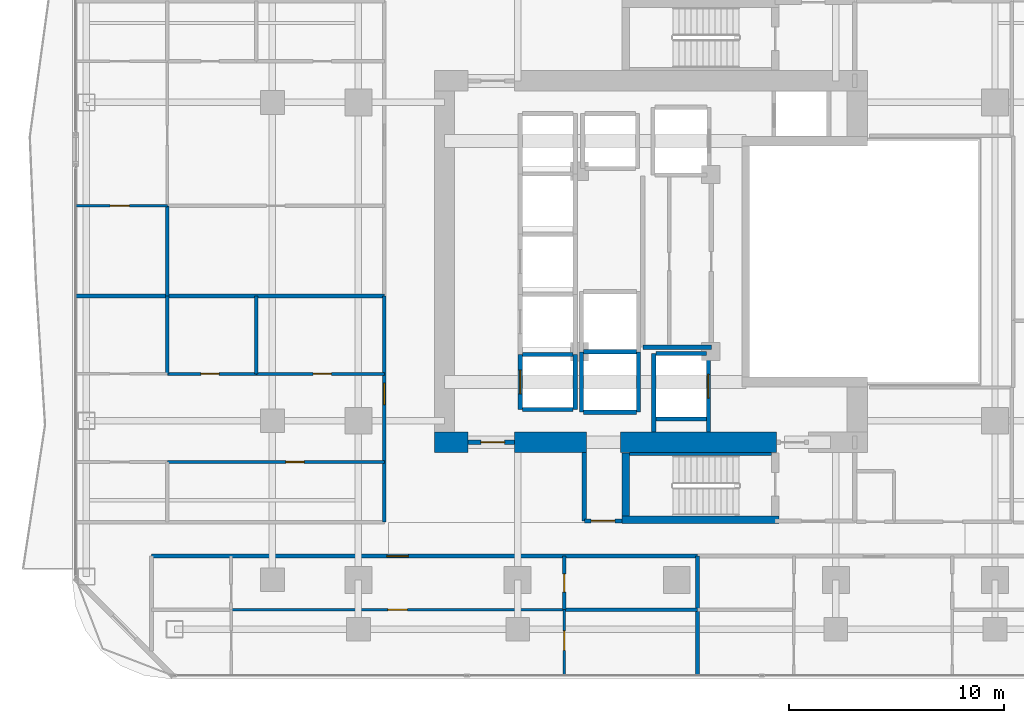
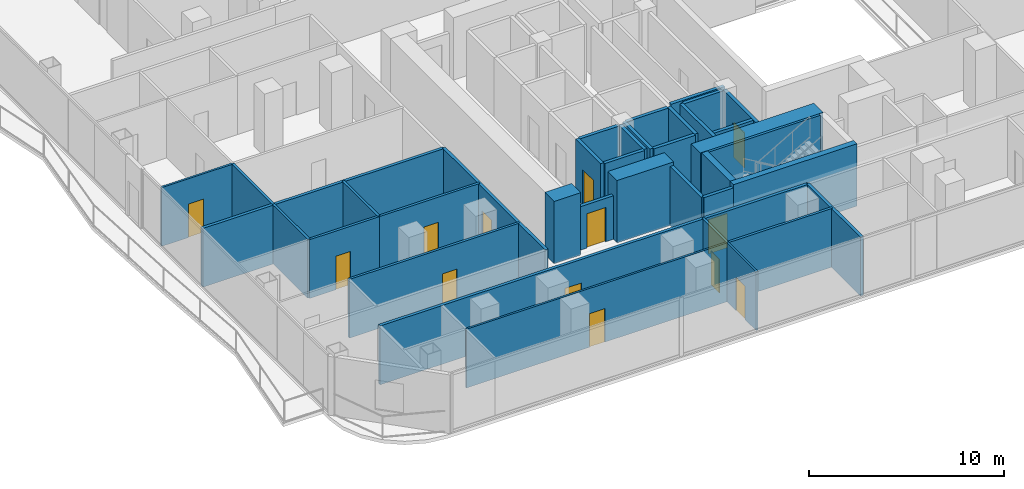
# One storey, part 19 of 27: 37 walls, 13 doors, 13 openings.
"""IFC4 building model written with IfcOpenShell, lengths in metres."""

from ifc_helpers import new_model, si_unit, direction, frame, frame_2d, origin, place, context, subcontext, project, spatial, rectangle, extrude, material, layer, layer_set, type_object, element, fill, save


model = new_model("IFC4")

# Units and contexts
model_context = context("Model", 3, precision=1e-05, world=origin(), true_north=direction((0.0, 1.0)))
body_context = subcontext(model_context, "Body", "Model", "MODEL_VIEW")
ifc_project = project(units=[si_unit("LENGTHUNIT", "METRE"), si_unit("AREAUNIT", "SQUARE_METRE"), si_unit("VOLUMEUNIT", "CUBIC_METRE"), si_unit("PLANEANGLEUNIT", "RADIAN"), si_unit("MASSUNIT", "GRAM", prefix="KILO")], contexts=[model_context])

# Site, building, storey
site_placement = place(None, origin())
site = spatial("IfcSite", under=ifc_project, at=site_placement, CompositionType="ELEMENT")
building_placement = place(site_placement, origin())
building = spatial("IfcBuilding", under=site, at=building_placement, Name="Khorvyn Point Tower", CompositionType="ELEMENT")
storey_placement = place(building_placement, frame((0.0, 0.0, 96.89990234375)))
storey = spatial("IfcBuildingStorey", under=building, at=storey_placement, Name="L24", CompositionType="ELEMENT", Elevation=96.89990234375)

# Wall, opening, door
ifc_material_1 = material(Name="Double acoustic gypsum on twin steel stud", Category="steel")
ifc_layer_1 = layer(ifc_material_1, 0.179931640625)
ifc_layer_set_1 = layer_set([ifc_layer_1], Name="Acoustic Double-Stud Apartment Demising Wall 180")
wall_type_1 = type_object("IfcWallType", Name="Acoustic Double-Stud Apartment Demising Wall 180", PredefinedType="PARTITIONING", material=ifc_layer_set_1)
wall_1_placement = place(storey_placement, frame((-24.419921875, -13.699951171875, 0.0), z_axis=(0.0, 0.0, 1.0), x_axis=(1.0, 0.0, 0.0)))
wall_1 = element("IfcWall", 1, at=wall_1_placement, inside=storey, type_object=wall_type_1, Name="Wall", PredefinedType="PARTITIONING", context=body_context, shape_type="SweptSolid", body=[
    extrude(rectangle(XDim=25.39404296875, YDim=0.179931640625, at=frame_2d((12.697021484375, 0.0))), origin(), (0.0, 0.0, 1.0), 3.68017578125),
])
opening_1_placement = place(wall_1_placement, frame((10.939453125, 0.0, 0.0)))
opening_1 = element("IfcOpeningElement", 2, at=opening_1_placement, cuts=wall_1, Name="Opening ID-AP60", PredefinedType="OPENING", context=body_context, shape_type="SweptSolid", body=[
    extrude(rectangle(XDim=1.0, YDim=2.199951171875, at=frame_2d((0.5, 1.10009765625))), frame((0.0, 0.099853515625, 0.0), z_axis=(0.0, -1.0, 0.0), x_axis=(1.0, 0.0, 0.0)), (0.0, 0.0, 1.0), 0.199951171875),
])
ifc_material_2 = material(Name="Engineered hardwood fire-rated leaf", Category="wood")
door_type_1 = type_object("IfcDoorType", Name="Acoustic Solid-Core Timber Apartment Entrance Door 1000x2200", OperationType="NOTDEFINED", PredefinedType="DOOR", material=ifc_material_2)
door_1_placement = place(opening_1_placement, origin())
door_1 = element("IfcDoor", 3, at=door_1_placement, inside=storey, type_object=door_type_1, Name="Door", OperationType="SINGLE_SWING_LEFT", OverallHeight=2.199951171875, OverallWidth=1.0, PredefinedType="DOOR", context=body_context, shape_type="SweptSolid", body=[
    extrude(rectangle(XDim=1.0, YDim=2.199951171875, at=frame_2d((0.5, 1.10009765625))), frame((0.0, 0.02490234375, 0.0), z_axis=(0.0, -1.0, 0.0), x_axis=(1.0, 0.0, 0.0)), (0.0, 0.0, 1.0), 0.050048828125),
])
fill(opening_1, door_1)

wall_2_placement = place(storey_placement, frame((-13.60009765625, -12.1201171875, 0.0), z_axis=(0.0, 0.0, 1.0), x_axis=(0.0, 1.0, 0.0)))
wall_2 = element("IfcWall", 4, at=wall_2_placement, inside=storey, type_object=wall_type_1, Name="Wall", PredefinedType="PARTITIONING", context=body_context, shape_type="SweptSolid", body=[
    extrude(rectangle(XDim=10.52001953125, YDim=0.179931640625, at=frame_2d((5.260009765625, 0.0))), origin(), (0.0, 0.0, 1.0), 3.68017578125),
])
opening_2_placement = place(wall_2_placement, frame((5.4677734375, 0.0, 0.0)))
opening_2 = element("IfcOpeningElement", 5, at=opening_2_placement, cuts=wall_2, Name="Opening ID-AP60", PredefinedType="OPENING", context=body_context, shape_type="SweptSolid", body=[
    extrude(rectangle(XDim=1.0, YDim=2.199951171875, at=frame_2d((0.5, 1.10009765625))), frame((0.0, 0.099853515625, 0.0), z_axis=(0.0, -1.0, 0.0), x_axis=(1.0, 0.0, 0.0)), (0.0, 0.0, 1.0), 0.199951171875),
])
door_2_placement = place(opening_2_placement, origin())
door_2 = element("IfcDoor", 6, at=door_2_placement, inside=storey, type_object=door_type_1, Name="Door", OperationType="SINGLE_SWING_RIGHT", OverallHeight=2.199951171875, OverallWidth=1.0, PredefinedType="DOOR", context=body_context, shape_type="SweptSolid", body=[
    extrude(rectangle(XDim=1.0, YDim=2.199951171875, at=frame_2d((0.5, 1.10009765625))), frame((0.0, 0.02490234375, 0.0), z_axis=(0.0, -1.0, 0.0), x_axis=(1.0, 0.0, 0.0)), (0.0, 0.0, 1.0), 0.050048828125),
])
fill(opening_2, door_2)

# Walls
wall_3_placement = place(storey_placement, frame((0.97412109375, -19.22998046875, 0.0), z_axis=(0.0, 0.0, 1.0), x_axis=(0.0, 1.0, 0.0)))
element("IfcWall", 7, at=wall_3_placement, inside=storey, type_object=wall_type_1, Name="Wall", PredefinedType="PARTITIONING", context=body_context, shape_type="SweptSolid", body=[
    extrude(rectangle(XDim=5.530029296875, YDim=0.179931640625, at=frame_2d((2.76513671875, 0.0))), origin(), (0.0, 0.0, 1.0), 3.68017578125),
])
wall_4_placement = place(storey_placement, frame((-27.929931640625, -1.60009765625, 0.0), z_axis=(0.0, 0.0, 1.0), x_axis=(1.0, 0.0, 0.0)))
element("IfcWall", 8, at=wall_4_placement, inside=storey, type_object=wall_type_1, Name="Wall", PredefinedType="PARTITIONING", context=body_context, shape_type="SweptSolid", body=[
    extrude(rectangle(XDim=14.329833984375, YDim=0.179931640625, at=frame_2d((7.1650390625, 0.0))), origin(), (0.0, 0.0, 1.0), 3.68017578125),
])

# Wall, opening, door
ifc_material_3 = material(Name="Concrete C40/50", Category="concrete")
ifc_layer_2 = layer(ifc_material_3, 0.199951171875)
ifc_layer_set_2 = layer_set([ifc_layer_2], Name="Concrete C40/50 Fire-Lobby Compartment Wall 200")
wall_type_2 = type_object("IfcWallType", Name="Concrete C40/50 Fire-Lobby Compartment Wall 200", PredefinedType="SOLIDWALL", material=ifc_layer_set_2)
wall_5_placement = place(storey_placement, frame((-9.699951171875, -8.39990234375, 0.0), z_axis=(0.0, 0.0, 1.0), x_axis=(1.0, 0.0, 0.0)))
wall_5 = element("IfcWall", 9, at=wall_5_placement, inside=storey, type_object=wall_type_2, Name="Wall", PredefinedType="SOLIDWALL", context=body_context, shape_type="SweptSolid", body=[
    extrude(rectangle(XDim=2.14990234375, YDim=0.199951171875, at=frame_2d((1.074951171875, 0.0))), origin(), (0.0, 0.0, 1.0), 2.72021484375),
])
opening_3_placement = place(wall_5_placement, frame((0.597900390625, 0.0, 0.0)))
opening_3 = element("IfcOpeningElement", 10, at=opening_3_placement, cuts=wall_5, Name="Opening ID-FL90", PredefinedType="OPENING", context=body_context, shape_type="SweptSolid", body=[
    extrude(rectangle(XDim=1.10009765625, YDim=2.14990234375, at=frame_2d((0.550048828125, 1.074951171875))), frame((0.0, 0.10986328125, 0.0), z_axis=(0.0, -1.0, 0.0), x_axis=(1.0, 0.0, 0.0)), (0.0, 0.0, 1.0), 0.219970703125),
])
ifc_material_4 = material(Name="Galvanised powder-coated steel", Category="steel")
door_type_2 = type_object("IfcDoorType", Name="Fire-Rated Steel Lobby and Stair Door 1100x2150", OperationType="NOTDEFINED", PredefinedType="DOOR", material=ifc_material_4)
door_3_placement = place(opening_3_placement, origin())
door_3 = element("IfcDoor", 11, at=door_3_placement, inside=storey, type_object=door_type_2, Name="Door", OperationType="SINGLE_SWING_LEFT", OverallHeight=2.14990234375, OverallWidth=1.10009765625, PredefinedType="DOOR", context=body_context, shape_type="SweptSolid", body=[
    extrude(rectangle(XDim=1.10009765625, YDim=2.14990234375, at=frame_2d((0.550048828125, 1.074951171875))), frame((0.0, 0.02490234375, 0.0), z_axis=(0.0, -1.0, 0.0), x_axis=(1.0, 0.0, 0.0)), (0.0, 0.0, 1.0), 0.050048828125),
])
fill(opening_3, door_3)

wall_6_placement = place(storey_placement, frame((-4.300048828125, -12.06005859375, 0.0), z_axis=(0.0, 0.0, 1.0), x_axis=(1.0, 0.0, 0.0)))
wall_6 = element("IfcWall", 12, at=wall_6_placement, inside=storey, type_object=wall_type_2, Name="Wall", PredefinedType="SOLIDWALL", context=body_context, shape_type="SweptSolid", body=[
    extrude(rectangle(XDim=1.75, YDim=0.199951171875, at=frame_2d((0.875, 0.0))), origin(), (0.0, 0.0, 1.0), 3.68017578125),
])
opening_4_placement = place(wall_6_placement, frame((0.324951171875, 0.0, 0.0)))
opening_4 = element("IfcOpeningElement", 13, at=opening_4_placement, cuts=wall_6, Name="Opening ID-FL90", PredefinedType="OPENING", context=body_context, shape_type="SweptSolid", body=[
    extrude(rectangle(XDim=1.10009765625, YDim=2.14990234375, at=frame_2d((0.550048828125, 1.074951171875))), frame((0.0, 0.10986328125, 0.0), z_axis=(0.0, -1.0, 0.0), x_axis=(1.0, 0.0, 0.0)), (0.0, 0.0, 1.0), 0.219970703125),
])
door_4_placement = place(opening_4_placement, origin())
door_4 = element("IfcDoor", 14, at=door_4_placement, inside=storey, type_object=door_type_2, Name="Door", OperationType="SINGLE_SWING_LEFT", OverallHeight=2.14990234375, OverallWidth=1.10009765625, PredefinedType="DOOR", context=body_context, shape_type="SweptSolid", body=[
    extrude(rectangle(XDim=1.10009765625, YDim=2.14990234375, at=frame_2d((0.550048828125, 1.074951171875))), frame((0.0, 0.02490234375, 0.0), z_axis=(0.0, -1.0, 0.0), x_axis=(1.0, 0.0, 0.0)), (0.0, 0.0, 1.0), 0.050048828125),
])
fill(opening_4, door_4)

# Walls
wall_7_placement = place(storey_placement, frame((-4.300048828125, -12.06005859375, 0.0), z_axis=(0.0, 0.0, 1.0), x_axis=(0.0, 1.0, 0.0)))
element("IfcWall", 15, at=wall_7_placement, inside=storey, type_object=wall_type_2, Name="Wall", PredefinedType="SOLIDWALL", context=body_context, shape_type="SweptSolid", body=[
    extrude(rectangle(XDim=3.18505859375, YDim=0.199951171875, at=frame_2d((1.592529296875, 0.0))), origin(), (0.0, 0.0, 1.0), 3.68017578125),
])
wall_8_placement = place(storey_placement, frame((-1.580078125, -3.97998046875, 0.0), z_axis=(0.0, 0.0, 1.0), x_axis=(1.0, 0.0, 0.0)))
element("IfcWall", 16, at=wall_8_placement, inside=storey, type_object=wall_type_2, Name="Wall", PredefinedType="SOLIDWALL", context=body_context, shape_type="SweptSolid", body=[
    extrude(rectangle(XDim=3.190185546875, YDim=0.199951171875, at=frame_2d((1.59521484375, 0.0))), origin(), (0.0, 0.0, 1.0), 3.68017578125),
])
ifc_layer_3 = layer(ifc_material_3, 0.25)
ifc_layer_set_3 = layer_set([ifc_layer_3], Name="Concrete C40/50 Stair Inner Cheek Structural Wall 250")
wall_type_3 = type_object("IfcWallType", Name="Concrete C40/50 Stair Inner Cheek Structural Wall 250", PredefinedType="SHEAR", material=ifc_layer_set_3)
wall_9_placement = place(storey_placement, frame((-2.199951171875, -8.949951171875, 0.0), z_axis=(0.0, 0.0, 1.0), x_axis=(1.0, 0.0, 0.0)))
element("IfcWall", 17, at=wall_9_placement, inside=storey, type_object=wall_type_3, Name="Wall", PredefinedType="SHEAR", context=body_context, shape_type="SweptSolid", body=[
    extrude(rectangle(XDim=6.599853515625, YDim=0.14990234375, at=frame_2d((3.2998046875, 0.0))), origin(), (0.0, 0.0, 1.0), 3.900146484375),
])
ifc_layer_4 = layer(ifc_material_3, 0.35009765625)
ifc_layer_set_4 = layer_set([ifc_layer_4], Name="Concrete C40/50 Stair Shaft Structural Wall 350")
wall_type_4 = type_object("IfcWallType", Name="Concrete C40/50 Stair Shaft Structural Wall 350", PredefinedType="SHEAR", material=ifc_layer_set_4)
wall_10_placement = place(storey_placement, frame((-2.554931640625, -12.0, 0.0), z_axis=(0.0, 0.0, 1.0), x_axis=(1.0, 0.0, 0.0)))
element("IfcWall", 18, at=wall_10_placement, inside=storey, type_object=wall_type_4, Name="L24 ST-01 South Shaft Wall", PredefinedType="SHEAR", context=body_context, shape_type="SweptSolid", body=[
    extrude(rectangle(XDim=7.309814453125, YDim=0.35009765625, at=frame_2d((3.65478515625, 0.0))), origin(), (0.0, 0.0, 1.0), 3.900146484375),
])
wall_11_placement = place(storey_placement, frame((-2.3798828125, -11.824951171875, 0.0), z_axis=(0.0, 0.0, 1.0), x_axis=(0.0, 1.0, 0.0)))
element("IfcWall", 19, at=wall_11_placement, inside=storey, type_object=wall_type_4, Name="L24 ST-01 West Shaft Wall", PredefinedType="SHEAR", context=body_context, shape_type="SweptSolid", body=[
    extrude(rectangle(XDim=2.925048828125, YDim=0.35009765625, at=frame_2d((1.46240234375, 0.0))), origin(), (0.0, 0.0, 1.0), 3.900146484375),
])

# Wall, opening, door
ifc_layer_5 = layer(ifc_material_3, 0.199951171875)
ifc_layer_set_5 = layer_set([ifc_layer_5], Name="Concrete C40/50 Structural Hoistway and Stair Shaft Wall 200")
wall_type_5 = type_object("IfcWallType", Name="Concrete C40/50 Structural Hoistway and Stair Shaft Wall 200", PredefinedType="SHEAR", material=ifc_layer_set_5)
wall_12_placement = place(storey_placement, frame((-7.27490234375, -6.875, 0.0), z_axis=(0.0, 0.0, 1.0), x_axis=(0.0, 1.0, 0.0)))
wall_12 = element("IfcWall", 20, at=wall_12_placement, inside=storey, type_object=wall_type_5, Name="Wall", PredefinedType="SHEAR", context=body_context, shape_type="SweptSolid", body=[
    extrude(rectangle(XDim=2.550048828125, YDim=0.199951171875, at=frame_2d((1.27490234375, 0.0))), origin(), (0.0, 0.0, 1.0), 3.68017578125),
])
opening_5_placement = place(wall_12_placement, frame((0.72509765625, 0.0, 0.0)))
opening_5 = element("IfcOpeningElement", 21, at=opening_5_placement, cuts=wall_12, Name="Opening LD-1122", PredefinedType="OPENING", context=body_context, shape_type="SweptSolid", body=[
    extrude(rectangle(XDim=1.10009765625, YDim=2.199951171875, at=frame_2d((0.550048828125, 1.10009765625))), frame((0.0, 0.10986328125, 0.0), z_axis=(0.0, -1.0, 0.0), x_axis=(1.0, 0.0, 0.0)), (0.0, 0.0, 1.0), 0.219970703125),
])
ifc_material_5 = material(Name="Stainless steel 1.4301", Category="steel")
door_type_3 = type_object("IfcDoorType", Name="Stainless Steel Automatic Sliding Lift Landing Door 1100x2200", OperationType="SLIDING_TO_LEFT", PredefinedType="DOOR", material=ifc_material_5)
door_5_placement = place(opening_5_placement, origin())
door_5 = element("IfcDoor", 22, at=door_5_placement, inside=storey, type_object=door_type_3, Name="L24 RL-01 Sliding Lift Landing Door", OperationType="SLIDING_TO_LEFT", OverallHeight=2.199951171875, OverallWidth=1.10009765625, PredefinedType="DOOR", context=body_context, shape_type="SweptSolid", body=[
    extrude(rectangle(XDim=1.10009765625, YDim=2.199951171875, at=frame_2d((0.550048828125, 1.10009765625))), frame((0.0, 0.02490234375, 0.0), z_axis=(0.0, -1.0, 0.0), x_axis=(1.0, 0.0, 0.0)), (0.0, 0.0, 1.0), 0.050048828125),
])
fill(opening_5, door_5)

# Walls
wall_13_placement = place(storey_placement, frame((-4.72509765625, -6.875, 0.0), z_axis=(0.0, 0.0, 1.0), x_axis=(0.0, 1.0, 0.0)))
element("IfcWall", 23, at=wall_13_placement, inside=storey, type_object=wall_type_5, Name="Wall", PredefinedType="SHEAR", context=body_context, shape_type="SweptSolid", body=[
    extrude(rectangle(XDim=2.550048828125, YDim=0.199951171875, at=frame_2d((1.27490234375, 0.0))), origin(), (0.0, 0.0, 1.0), 3.68017578125),
])
for number, where, z_axis, x_axis, name in (
    (24, (-7.175048828125, -6.875, 0.0), (0.0, 0.0, 1.0), (1.0, 0.0, 0.0), "Wall"),
    (25, (-7.175048828125, -4.324951171875, 0.0), (0.0, 0.0, 1.0), (1.0, 0.0, 0.0), "Wall"),
):
    element("IfcWall", number, at=place(storey_placement, frame(where, z_axis=z_axis, x_axis=x_axis)), inside=storey, type_object=wall_type_5, Name=name, PredefinedType="SHEAR", context=body_context, shape_type="SweptSolid", body=[
        extrude(rectangle(XDim=2.35009765625, YDim=0.199951171875, at=frame_2d((1.175048828125, 0.0))), origin(), (0.0, 0.0, 1.0), 3.68017578125),
    ])
for number, where, z_axis, x_axis, name in (
    (26, (-4.425048828125, -7.0, 0.0), (0.0, 0.0, 1.0), (0.0, 1.0, 0.0), "Wall"),
    (27, (-1.77490234375, -7.0, 0.0), (0.0, 0.0, 1.0), (0.0, 1.0, 0.0), "Wall"),
):
    element("IfcWall", number, at=place(storey_placement, frame(where, z_axis=z_axis, x_axis=x_axis)), inside=storey, type_object=wall_type_5, Name=name, PredefinedType="SHEAR", context=body_context, shape_type="SweptSolid", body=[
        extrude(rectangle(XDim=2.800048828125, YDim=0.199951171875, at=frame_2d((1.39990234375, 0.0))), origin(), (0.0, 0.0, 1.0), 3.68017578125),
    ])
for number, where, z_axis, x_axis, name in (
    (28, (-4.324951171875, -7.0, 0.0), (0.0, 0.0, 1.0), (1.0, 0.0, 0.0), "Wall"),
    (29, (-4.324951171875, -4.199951171875, 0.0), (0.0, 0.0, 1.0), (1.0, 0.0, 0.0), "Wall"),
):
    element("IfcWall", number, at=place(storey_placement, frame(where, z_axis=z_axis, x_axis=x_axis)), inside=storey, type_object=wall_type_5, Name=name, PredefinedType="SHEAR", context=body_context, shape_type="SweptSolid", body=[
        extrude(rectangle(XDim=2.449951171875, YDim=0.199951171875, at=frame_2d((1.22509765625, 0.0))), origin(), (0.0, 0.0, 1.0), 3.68017578125),
    ])
wall_14_placement = place(storey_placement, frame((-1.074951171875, -7.925048828125, 0.0), z_axis=(0.0, 0.0, 1.0), x_axis=(0.0, 1.0, 0.0)))
element("IfcWall", 30, at=wall_14_placement, inside=storey, type_object=wall_type_5, Name="Wall", PredefinedType="SHEAR", context=body_context, shape_type="SweptSolid", body=[
    extrude(rectangle(XDim=3.650146484375, YDim=0.199951171875, at=frame_2d((1.8251953125, 0.0))), origin(), (0.0, 0.0, 1.0), 3.68017578125),
])

# Wall, opening, door
wall_15_placement = place(storey_placement, frame((1.47509765625, -7.925048828125, 0.0), z_axis=(0.0, 0.0, 1.0), x_axis=(0.0, 1.0, 0.0)))
wall_15 = element("IfcWall", 31, at=wall_15_placement, inside=storey, type_object=wall_type_5, Name="Wall", PredefinedType="SHEAR", context=body_context, shape_type="SweptSolid", body=[
    extrude(rectangle(XDim=3.650146484375, YDim=0.199951171875, at=frame_2d((1.8251953125, 0.0))), origin(), (0.0, 0.0, 1.0), 3.68017578125),
])
opening_6_placement = place(wall_15_placement, frame((1.574951171875, 0.0, 0.0)))
opening_6 = element("IfcOpeningElement", 32, at=opening_6_placement, cuts=wall_15, Name="Opening LD-1122", PredefinedType="OPENING", context=body_context, shape_type="SweptSolid", body=[
    extrude(rectangle(XDim=1.10009765625, YDim=2.199951171875, at=frame_2d((0.550048828125, 1.10009765625))), frame((0.0, 0.10986328125, 0.0), z_axis=(0.0, -1.0, 0.0), x_axis=(1.0, 0.0, 0.0)), (0.0, 0.0, 1.0), 0.219970703125),
])
door_6_placement = place(opening_6_placement, origin())
door_6 = element("IfcDoor", 33, at=door_6_placement, inside=storey, type_object=door_type_3, Name="L24 FF-01 Sliding Lift Landing Door", OperationType="SLIDING_TO_LEFT", OverallHeight=2.199951171875, OverallWidth=1.10009765625, PredefinedType="DOOR", context=body_context, shape_type="SweptSolid", body=[
    extrude(rectangle(XDim=1.10009765625, YDim=2.199951171875, at=frame_2d((0.550048828125, 1.10009765625))), frame((0.0, 0.02490234375, 0.0), z_axis=(0.0, -1.0, 0.0), x_axis=(1.0, 0.0, 0.0)), (0.0, 0.0, 1.0), 0.050048828125),
])
fill(opening_6, door_6)

# Walls
for number, where, z_axis, x_axis, name in (
    (34, (-0.97509765625, -7.324951171875, 0.0), (0.0, 0.0, 1.0), (1.0, 0.0, 0.0), "Wall"),
    (35, (-0.97509765625, -4.27490234375, 0.0), (0.0, 0.0, 1.0), (1.0, 0.0, 0.0), "Wall"),
):
    element("IfcWall", number, at=place(storey_placement, frame(where, z_axis=z_axis, x_axis=x_axis)), inside=storey, type_object=wall_type_5, Name=name, PredefinedType="SHEAR", context=body_context, shape_type="SweptSolid", body=[
        extrude(rectangle(XDim=2.35009765625, YDim=0.199951171875, at=frame_2d((1.175048828125, 0.0))), origin(), (0.0, 0.0, 1.0), 3.68017578125),
    ])
ifc_material_6 = material(Name="Concrete C50/60", Category="concrete")
ifc_layer_6 = layer(ifc_material_6, 0.949951171875)
ifc_layer_set_6 = layer_set([ifc_layer_6], Name="Concrete C50/60 Core Shear Wall 950")
wall_type_6 = type_object("IfcWallType", Name="Concrete C50/60 Core Shear Wall 950", PredefinedType="SHEAR", material=ifc_layer_set_6)
wall_16_placement = place(storey_placement, frame((-11.27490234375, -8.39990234375, 0.0), z_axis=(0.0, 0.0, 1.0), x_axis=(1.0, 0.0, 0.0)))
element("IfcWall", 36, at=wall_16_placement, inside=storey, type_object=wall_type_6, Name="Wall", PredefinedType="SHEAR", context=body_context, shape_type="SweptSolid", body=[
    extrude(rectangle(XDim=1.574951171875, YDim=0.949951171875, at=frame_2d((0.78759765625, 0.0))), origin(), (0.0, 0.0, 1.0), 3.900146484375),
])
wall_17_placement = place(storey_placement, frame((-7.550048828125, -8.39990234375, 0.0), z_axis=(0.0, 0.0, 1.0), x_axis=(1.0, 0.0, 0.0)))
element("IfcWall", 37, at=wall_17_placement, inside=storey, type_object=wall_type_6, Name="Wall", PredefinedType="SHEAR", context=body_context, shape_type="SweptSolid", body=[
    extrude(rectangle(XDim=3.35009765625, YDim=0.949951171875, at=frame_2d((1.675048828125, 0.0))), origin(), (0.0, 0.0, 1.0), 3.900146484375),
])
wall_18_placement = place(storey_placement, frame((-2.6201171875, -8.39990234375, 0.0), z_axis=(0.0, 0.0, 1.0), x_axis=(1.0, 0.0, 0.0)))
element("IfcWall", 38, at=wall_18_placement, inside=storey, type_object=wall_type_6, Name="Wall", PredefinedType="SHEAR", context=body_context, shape_type="SweptSolid", body=[
    extrude(rectangle(XDim=7.27001953125, YDim=0.949951171875, at=frame_2d((3.635009765625, 0.0))), origin(), (0.0, 0.0, 1.0), 3.900146484375),
])

# Wall, opening, door
ifc_material_7 = material(Name="Gypsum plasterboard on steel stud", Category="steel")
ifc_layer_7 = layer(ifc_material_7, 0.1201171875)
ifc_layer_set_7 = layer_set([ifc_layer_7], Name="Gypsum Acoustic Stud Room Partition Wall 120")
wall_type_7 = type_object("IfcWallType", Name="Gypsum Acoustic Stud Room Partition Wall 120", PredefinedType="PARTITIONING", material=ifc_layer_set_7)
wall_19_placement = place(storey_placement, frame((-20.72509765625, -16.18994140625, 0.0), z_axis=(0.0, 0.0, 1.0), x_axis=(1.0, 0.0, 0.0)))
wall_19 = element("IfcWall", 39, at=wall_19_placement, inside=storey, type_object=wall_type_7, Name="Wall", PredefinedType="PARTITIONING", context=body_context, shape_type="SweptSolid", body=[
    extrude(rectangle(XDim=15.4931640625, YDim=0.1201171875, at=frame_2d((7.74658203125, 0.0))), origin(), (0.0, 0.0, 1.0), 3.68017578125),
])
opening_7_placement = place(wall_19_placement, frame((7.29638671875, 0.0, 0.0)))
opening_7 = element("IfcOpeningElement", 40, at=opening_7_placement, cuts=wall_19, Name="Opening ID-RM90", PredefinedType="OPENING", context=body_context, shape_type="SweptSolid", body=[
    extrude(rectangle(XDim=0.89990234375, YDim=2.10009765625, at=frame_2d((0.449951171875, 1.050048828125))), frame((0.0, 0.070068359375, 0.0), z_axis=(0.0, -1.0, 0.0), x_axis=(1.0, 0.0, 0.0)), (0.0, 0.0, 1.0), 0.14013671875),
])
ifc_material_8 = material(Name="Engineered oak veneer timber", Category="wood")
door_type_4 = type_object("IfcDoorType", Name="Flush Engineered Timber Room Door 900x2100", OperationType="NOTDEFINED", PredefinedType="DOOR", material=ifc_material_8)
door_7_placement = place(opening_7_placement, origin())
door_7 = element("IfcDoor", 41, at=door_7_placement, inside=storey, type_object=door_type_4, Name="Door", OperationType="SINGLE_SWING_RIGHT", OverallHeight=2.10009765625, OverallWidth=0.89990234375, PredefinedType="DOOR", context=body_context, shape_type="SweptSolid", body=[
    extrude(rectangle(XDim=0.89990234375, YDim=2.10009765625, at=frame_2d((0.449951171875, 1.050048828125))), frame((0.0, 0.02490234375, 0.0), z_axis=(0.0, -1.0, 0.0), x_axis=(1.0, 0.0, 0.0)), (0.0, 0.0, 1.0), 0.050048828125),
])
fill(opening_7, door_7)

wall_20_placement = place(storey_placement, frame((-5.23193359375, -19.22998046875, 0.0), z_axis=(0.0, 0.0, 1.0), x_axis=(0.0, 1.0, 0.0)))
wall_20 = element("IfcWall", 42, at=wall_20_placement, inside=storey, type_object=wall_type_7, Name="Wall", PredefinedType="PARTITIONING", context=body_context, shape_type="SweptSolid", body=[
    extrude(rectangle(XDim=3.0400390625, YDim=0.1201171875, at=frame_2d((1.52001953125, 0.0))), origin(), (0.0, 0.0, 1.0), 3.68017578125),
])
opening_8_placement = place(wall_20_placement, frame((1.152587890625, 0.0, 0.0)))
opening_8 = element("IfcOpeningElement", 43, at=opening_8_placement, cuts=wall_20, Name="Opening ID-RM90", PredefinedType="OPENING", context=body_context, shape_type="SweptSolid", body=[
    extrude(rectangle(XDim=0.89990234375, YDim=2.10009765625, at=frame_2d((0.449951171875, 1.050048828125))), frame((0.0, 0.070068359375, 0.0), z_axis=(0.0, -1.0, 0.0), x_axis=(1.0, 0.0, 0.0)), (0.0, 0.0, 1.0), 0.14013671875),
])
door_8_placement = place(opening_8_placement, origin())
door_8 = element("IfcDoor", 44, at=door_8_placement, inside=storey, type_object=door_type_4, Name="Door", OperationType="SINGLE_SWING_RIGHT", OverallHeight=2.10009765625, OverallWidth=0.89990234375, PredefinedType="DOOR", context=body_context, shape_type="SweptSolid", body=[
    extrude(rectangle(XDim=0.89990234375, YDim=2.10009765625, at=frame_2d((0.449951171875, 1.050048828125))), frame((0.0, 0.02490234375, 0.0), z_axis=(0.0, -1.0, 0.0), x_axis=(1.0, 0.0, 0.0)), (0.0, 0.0, 1.0), 0.050048828125),
])
fill(opening_8, door_8)

wall_21_placement = place(storey_placement, frame((-27.929931640625, 2.591064453125, 0.0), z_axis=(0.0, 0.0, 1.0), x_axis=(1.0, 0.0, 0.0)))
wall_21 = element("IfcWall", 45, at=wall_21_placement, inside=storey, type_object=wall_type_7, Name="Wall", PredefinedType="PARTITIONING", context=body_context, shape_type="SweptSolid", body=[
    extrude(rectangle(XDim=4.239990234375, YDim=0.1201171875, at=frame_2d((2.1201171875, 0.0))), origin(), (0.0, 0.0, 1.0), 3.68017578125),
])
opening_9_placement = place(wall_21_placement, frame((1.581298828125, 0.0, 0.0)))
opening_9 = element("IfcOpeningElement", 46, at=opening_9_placement, cuts=wall_21, Name="Opening ID-RM90", PredefinedType="OPENING", context=body_context, shape_type="SweptSolid", body=[
    extrude(rectangle(XDim=0.89990234375, YDim=2.10009765625, at=frame_2d((0.449951171875, 1.050048828125))), frame((0.0, 0.070068359375, 0.0), z_axis=(0.0, -1.0, 0.0), x_axis=(1.0, 0.0, 0.0)), (0.0, 0.0, 1.0), 0.14013671875),
])
door_9_placement = place(opening_9_placement, origin())
door_9 = element("IfcDoor", 47, at=door_9_placement, inside=storey, type_object=door_type_4, Name="Door", OperationType="SINGLE_SWING_LEFT", OverallHeight=2.10009765625, OverallWidth=0.89990234375, PredefinedType="DOOR", context=body_context, shape_type="SweptSolid", body=[
    extrude(rectangle(XDim=0.89990234375, YDim=2.10009765625, at=frame_2d((0.449951171875, 1.050048828125))), frame((0.0, 0.02490234375, 0.0), z_axis=(0.0, -1.0, 0.0), x_axis=(1.0, 0.0, 0.0)), (0.0, 0.0, 1.0), 0.050048828125),
])
fill(opening_9, door_9)

ifc_material_9 = material(Name="Moisture-resistant gypsum and cement board", Category="gypsum")
ifc_layer_8 = layer(ifc_material_9, 0.14990234375)
ifc_layer_set_8 = layer_set([ifc_layer_8], Name="Moisture-Resistant Wet-Room Partition Wall 150")
wall_type_8 = type_object("IfcWallType", Name="Moisture-Resistant Wet-Room Partition Wall 150", PredefinedType="PARTITIONING", material=ifc_layer_set_8)
wall_22_placement = place(storey_placement, frame((-5.23193359375, -16.18994140625, 0.0), z_axis=(0.0, 0.0, 1.0), x_axis=(0.0, 1.0, 0.0)))
wall_22 = element("IfcWall", 48, at=wall_22_placement, inside=storey, type_object=wall_type_8, Name="Wall", PredefinedType="PARTITIONING", context=body_context, shape_type="SweptSolid", body=[
    extrude(rectangle(XDim=2.489990234375, YDim=0.14990234375, at=frame_2d((1.2451171875, 0.0))), origin(), (0.0, 0.0, 1.0), 3.68017578125),
])
opening_10_placement = place(wall_22_placement, frame((0.820068359375, 0.0, 0.0)))
opening_10 = element("IfcOpeningElement", 49, at=opening_10_placement, cuts=wall_22, Name="Opening ID-WC85", PredefinedType="OPENING", context=body_context, shape_type="SweptSolid", body=[
    extrude(rectangle(XDim=0.85009765625, YDim=2.10009765625, at=frame_2d((0.425048828125, 1.050048828125))), frame((0.0, 0.0849609375, 0.0), z_axis=(0.0, -1.0, 0.0), x_axis=(1.0, 0.0, 0.0)), (0.0, 0.0, 1.0), 0.169921875),
])
ifc_material_10 = material(Name="High-pressure laminate on moisture-resistant core", Category="wood")
door_type_5 = type_object("IfcDoorType", Name="Moisture-Resistant Accessible Washroom Door 850x2100", OperationType="NOTDEFINED", PredefinedType="DOOR", material=ifc_material_10)
door_10_placement = place(opening_10_placement, origin())
door_10 = element("IfcDoor", 50, at=door_10_placement, inside=storey, type_object=door_type_5, Name="Door", OperationType="SINGLE_SWING_LEFT", OverallHeight=2.10009765625, OverallWidth=0.85009765625, PredefinedType="DOOR", context=body_context, shape_type="SweptSolid", body=[
    extrude(rectangle(XDim=0.85009765625, YDim=2.10009765625, at=frame_2d((0.425048828125, 1.050048828125))), frame((0.0, 0.02490234375, 0.0), z_axis=(0.0, -1.0, 0.0), x_axis=(1.0, 0.0, 0.0)), (0.0, 0.0, 1.0), 0.050048828125),
])
fill(opening_10, door_10)

wall_23_placement = place(storey_placement, frame((-23.68994140625, -5.22412109375, 0.0), z_axis=(0.0, 0.0, 1.0), x_axis=(1.0, 0.0, 0.0)))
wall_23 = element("IfcWall", 51, at=wall_23_placement, inside=storey, type_object=wall_type_8, Name="Wall", PredefinedType="PARTITIONING", context=body_context, shape_type="SweptSolid", body=[
    extrude(rectangle(XDim=4.136962890625, YDim=0.14990234375, at=frame_2d((2.068359375, 0.0))), origin(), (0.0, 0.0, 1.0), 3.68017578125),
])
opening_11_placement = place(wall_23_placement, frame((1.55615234375, 0.0, 0.0)))
opening_11 = element("IfcOpeningElement", 52, at=opening_11_placement, cuts=wall_23, Name="Opening ID-WC85", PredefinedType="OPENING", context=body_context, shape_type="SweptSolid", body=[
    extrude(rectangle(XDim=0.85009765625, YDim=2.10009765625, at=frame_2d((0.425048828125, 1.050048828125))), frame((0.0, 0.0849609375, 0.0), z_axis=(0.0, -1.0, 0.0), x_axis=(1.0, 0.0, 0.0)), (0.0, 0.0, 1.0), 0.169921875),
])
door_11_placement = place(opening_11_placement, origin())
door_11 = element("IfcDoor", 53, at=door_11_placement, inside=storey, type_object=door_type_5, Name="Door", OperationType="SINGLE_SWING_LEFT", OverallHeight=2.10009765625, OverallWidth=0.85009765625, PredefinedType="DOOR", context=body_context, shape_type="SweptSolid", body=[
    extrude(rectangle(XDim=0.85009765625, YDim=2.10009765625, at=frame_2d((0.425048828125, 1.050048828125))), frame((0.0, 0.02490234375, 0.0), z_axis=(0.0, -1.0, 0.0), x_axis=(1.0, 0.0, 0.0)), (0.0, 0.0, 1.0), 0.050048828125),
])
fill(opening_11, door_11)

wall_24_placement = place(storey_placement, frame((-19.552978515625, -5.22412109375, 0.0), z_axis=(0.0, 0.0, 1.0), x_axis=(1.0, 0.0, 0.0)))
wall_24 = element("IfcWall", 54, at=wall_24_placement, inside=storey, type_object=wall_type_8, Name="Wall", PredefinedType="PARTITIONING", context=body_context, shape_type="SweptSolid", body=[
    extrude(rectangle(XDim=5.952880859375, YDim=0.14990234375, at=frame_2d((2.9765625, 0.0))), origin(), (0.0, 0.0, 1.0), 3.68017578125),
])
opening_12_placement = place(wall_24_placement, frame((2.64013671875, 0.0, 0.0)))
opening_12 = element("IfcOpeningElement", 55, at=opening_12_placement, cuts=wall_24, Name="Opening ID-WC85", PredefinedType="OPENING", context=body_context, shape_type="SweptSolid", body=[
    extrude(rectangle(XDim=0.85009765625, YDim=2.10009765625, at=frame_2d((0.425048828125, 1.050048828125))), frame((0.0, 0.0849609375, 0.0), z_axis=(0.0, -1.0, 0.0), x_axis=(1.0, 0.0, 0.0)), (0.0, 0.0, 1.0), 0.169921875),
])
door_12_placement = place(opening_12_placement, origin())
door_12 = element("IfcDoor", 56, at=door_12_placement, inside=storey, type_object=door_type_5, Name="Door", OperationType="SINGLE_SWING_RIGHT", OverallHeight=2.10009765625, OverallWidth=0.85009765625, PredefinedType="DOOR", context=body_context, shape_type="SweptSolid", body=[
    extrude(rectangle(XDim=0.85009765625, YDim=2.10009765625, at=frame_2d((0.425048828125, 1.050048828125))), frame((0.0, 0.02490234375, 0.0), z_axis=(0.0, -1.0, 0.0), x_axis=(1.0, 0.0, 0.0)), (0.0, 0.0, 1.0), 0.050048828125),
])
fill(opening_12, door_12)

wall_25_placement = place(storey_placement, frame((-23.68994140625, -9.320068359375, 0.0), z_axis=(0.0, 0.0, 1.0), x_axis=(1.0, 0.0, 0.0)))
wall_25 = element("IfcWall", 57, at=wall_25_placement, inside=storey, type_object=wall_type_8, Name="Wall", PredefinedType="PARTITIONING", context=body_context, shape_type="SweptSolid", body=[
    extrude(rectangle(XDim=10.08984375, YDim=0.14990234375, at=frame_2d((5.044921875, 0.0))), origin(), (0.0, 0.0, 1.0), 3.68017578125),
])
opening_13_placement = place(wall_25_placement, frame((5.511962890625, 0.0, 0.0)))
opening_13 = element("IfcOpeningElement", 58, at=opening_13_placement, cuts=wall_25, Name="Opening ID-WC85", PredefinedType="OPENING", context=body_context, shape_type="SweptSolid", body=[
    extrude(rectangle(XDim=0.85009765625, YDim=2.10009765625, at=frame_2d((0.425048828125, 1.050048828125))), frame((0.0, 0.0849609375, 0.0), z_axis=(0.0, -1.0, 0.0), x_axis=(1.0, 0.0, 0.0)), (0.0, 0.0, 1.0), 0.169921875),
])
door_13_placement = place(opening_13_placement, origin())
door_13 = element("IfcDoor", 59, at=door_13_placement, inside=storey, type_object=door_type_5, Name="Door", OperationType="SINGLE_SWING_LEFT", OverallHeight=2.10009765625, OverallWidth=0.85009765625, PredefinedType="DOOR", context=body_context, shape_type="SweptSolid", body=[
    extrude(rectangle(XDim=0.85009765625, YDim=2.10009765625, at=frame_2d((0.425048828125, 1.050048828125))), frame((0.0, 0.02490234375, 0.0), z_axis=(0.0, -1.0, 0.0), x_axis=(1.0, 0.0, 0.0)), (0.0, 0.0, 1.0), 0.050048828125),
])
fill(opening_13, door_13)

# Walls
wall_26_placement = place(storey_placement, frame((-5.23193359375, -16.18994140625, 0.0), z_axis=(0.0, 0.0, 1.0), x_axis=(1.0, 0.0, 0.0)))
element("IfcWall", 60, at=wall_26_placement, inside=storey, type_object=wall_type_8, Name="Wall", PredefinedType="PARTITIONING", context=body_context, shape_type="SweptSolid", body=[
    extrude(rectangle(XDim=6.2060546875, YDim=0.14990234375, at=frame_2d((3.10302734375, 0.0))), origin(), (0.0, 0.0, 1.0), 3.68017578125),
])
for number, where, z_axis, x_axis, name in (
    (61, (-19.552978515625, -5.22412109375, 0.0), (0.0, 0.0, 1.0), (0.0, 1.0, 0.0), "Wall"),
    (62, (-23.68994140625, -5.22412109375, 0.0), (0.0, 0.0, 1.0), (0.0, 1.0, 0.0), "Wall"),
):
    element("IfcWall", number, at=place(storey_placement, frame(where, z_axis=z_axis, x_axis=x_axis)), inside=storey, type_object=wall_type_8, Name=name, PredefinedType="PARTITIONING", context=body_context, shape_type="SweptSolid", body=[
        extrude(rectangle(XDim=3.6240234375, YDim=0.14990234375, at=frame_2d((1.81201171875, 0.0))), origin(), (0.0, 0.0, 1.0), 3.68017578125),
    ])
wall_27_placement = place(storey_placement, frame((-23.68994140625, -1.60009765625, 0.0), z_axis=(0.0, 0.0, 1.0), x_axis=(0.0, 1.0, 0.0)))
element("IfcWall", 63, at=wall_27_placement, inside=storey, type_object=wall_type_8, Name="Wall", PredefinedType="PARTITIONING", context=body_context, shape_type="SweptSolid", body=[
    extrude(rectangle(XDim=4.191162109375, YDim=0.14990234375, at=frame_2d((2.095703125, 0.0))), origin(), (0.0, 0.0, 1.0), 3.68017578125),
])

save(model, "model.ifc")
